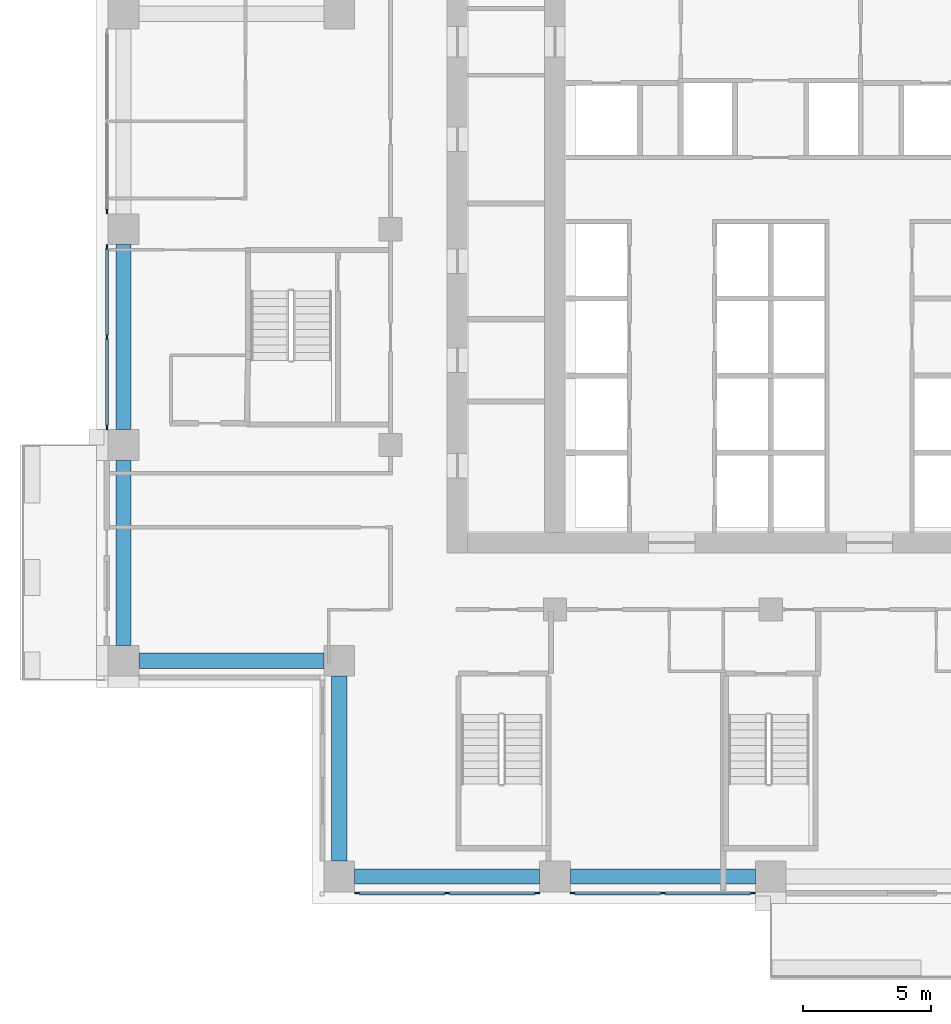
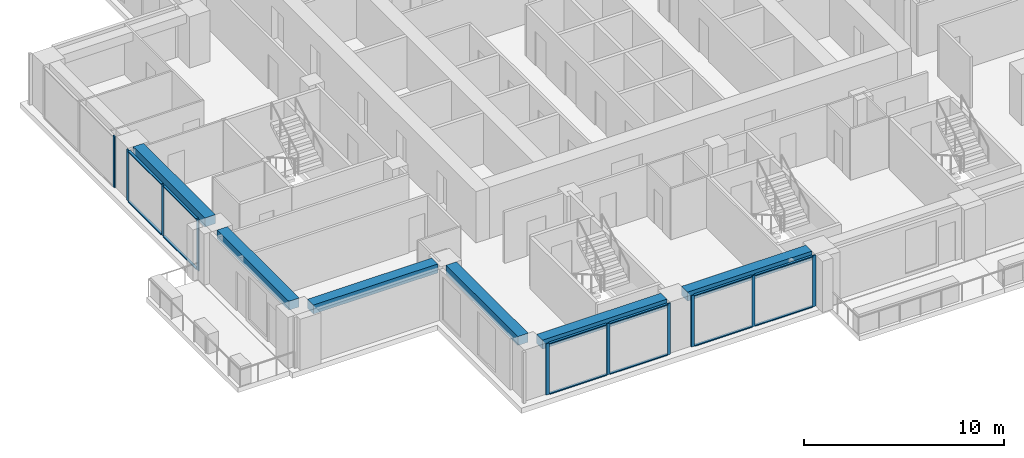
# One storey, part 2 of 18: 22 members, 6 beams, 4 elements without a shape of their own.
"""IFC4 building model written with IfcOpenShell, lengths in metres."""

from ifc_helpers import new_model, si_unit, direction, frame, origin, origin_2d, place, context, subcontext, project, spatial, rectangle, extrude, material, material_profile, profile_set, type_object, element, aggregate, save


model = new_model("IFC4")

# Units and contexts
model_context = context("Model", 3, precision=1e-05, world=origin(), true_north=direction((0.0, 1.0)))
body_context = subcontext(model_context, "Body", "Model", "MODEL_VIEW")
ifc_project = project(units=[si_unit("LENGTHUNIT", "METRE"), si_unit("AREAUNIT", "SQUARE_METRE"), si_unit("VOLUMEUNIT", "CUBIC_METRE"), si_unit("PLANEANGLEUNIT", "RADIAN"), si_unit("MASSUNIT", "GRAM", prefix="KILO")], contexts=[model_context])

# Site, building, storey
site_placement = place(None, origin())
site = spatial("IfcSite", under=ifc_project, at=site_placement, CompositionType="ELEMENT")
building_placement = place(site_placement, origin())
building = spatial("IfcBuilding", under=site, at=building_placement, Name="Vermilion Ogive Tower", CompositionType="ELEMENT")
storey_placement = place(building_placement, frame((0.0, 0.0, 94.199951171875)))
storey = spatial("IfcBuildingStorey", under=building, at=storey_placement, Name="L23", CompositionType="ELEMENT", Elevation=94.199951171875)

# Curtain wall, members
ifc_material_1 = material(Name="Low-iron laminated glazing in aluminium frame", Category="aluminium")
curtain_wall_type = type_object("IfcCurtainWallType", Name="Curtain wall CW7", PredefinedType="NOTDEFINED", material=ifc_material_1)
curtain_wall_1_placement = place(storey_placement, origin())
curtain_wall_1 = element("IfcCurtainWall", 1, at=curtain_wall_1_placement, inside=storey, type_object=curtain_wall_type, Name="Glazed skin S1", PredefinedType="NOTDEFINED")
ifc_material_2 = material(Name="Aluminium mullion", Category="aluminium")
ifc_material_profile_1 = material_profile(ifc_material_2, rectangle(XDim=0.06005859375, YDim=0.179931640625, at=origin_2d()), Name="AL 60x180")
ifc_profile_set_1 = profile_set([ifc_material_profile_1], Name="Aluminium mullion")
member_type_1 = type_object("IfcMemberType", Name="CW7 mullion 60x180", PredefinedType="MULLION", material=ifc_profile_set_1)
member_1_placement = place(storey_placement, frame((-16.110107421875, -21.64990234375, 0.0), z_axis=(0.0, 0.0, 1.0), x_axis=(0.0, 1.0, 0.0)))
member_1 = element("IfcMember", 2, at=member_1_placement, type_object=member_type_1, Name="CW7-S1 mullion 1", PredefinedType="MULLION", context=body_context, shape_type="SweptSolid", body=[
    extrude(rectangle(XDim=0.06005859375, YDim=0.179931640625, at=origin_2d()), origin(), (0.0, 0.0, 1.0), 3.130126953125),
])
member_2_placement = place(storey_placement, frame((-12.60009765625, -21.64990234375, 0.0), z_axis=(0.0, 0.0, 1.0), x_axis=(0.0, 1.0, 0.0)))
member_2 = element("IfcMember", 3, at=member_2_placement, type_object=member_type_1, Name="CW7-S1 mullion 2", PredefinedType="MULLION", context=body_context, shape_type="SweptSolid", body=[
    extrude(rectangle(XDim=0.06005859375, YDim=0.179931640625, at=origin_2d()), origin(), (0.0, 0.0, 1.0), 3.130126953125),
])
member_3_placement = place(storey_placement, frame((-9.090087890625, -21.64990234375, 0.0), z_axis=(0.0, 0.0, 1.0), x_axis=(0.0, 1.0, 0.0)))
member_3 = element("IfcMember", 4, at=member_3_placement, type_object=member_type_1, Name="CW7-S1 mullion 3", PredefinedType="MULLION", context=body_context, shape_type="SweptSolid", body=[
    extrude(rectangle(XDim=0.06005859375, YDim=0.179931640625, at=origin_2d()), origin(), (0.0, 0.0, 1.0), 3.130126953125),
])

curtain_wall_2_placement = place(storey_placement, origin())
curtain_wall_2 = element("IfcCurtainWall", 5, at=curtain_wall_2_placement, inside=storey, type_object=curtain_wall_type, Name="Glazed skin S2", PredefinedType="NOTDEFINED")
member_4_placement = place(storey_placement, frame((-7.7099609375, -21.64990234375, 0.0), z_axis=(0.0, 0.0, 1.0), x_axis=(0.0, 1.0, 0.0)))
member_4 = element("IfcMember", 6, at=member_4_placement, type_object=member_type_1, Name="CW7-S2 mullion 1", PredefinedType="MULLION", context=body_context, shape_type="SweptSolid", body=[
    extrude(rectangle(XDim=0.06005859375, YDim=0.179931640625, at=origin_2d()), origin(), (0.0, 0.0, 1.0), 3.130126953125),
])
member_5_placement = place(storey_placement, frame((-4.199951171875, -21.64990234375, 0.0), z_axis=(0.0, 0.0, 1.0), x_axis=(0.0, 1.0, 0.0)))
member_5 = element("IfcMember", 7, at=member_5_placement, type_object=member_type_1, Name="CW7-S2 mullion 2", PredefinedType="MULLION", context=body_context, shape_type="SweptSolid", body=[
    extrude(rectangle(XDim=0.06005859375, YDim=0.179931640625, at=origin_2d()), origin(), (0.0, 0.0, 1.0), 3.130126953125),
])
member_6_placement = place(storey_placement, frame((-0.68994140625, -21.64990234375, 0.0), z_axis=(0.0, 0.0, 1.0), x_axis=(0.0, 1.0, 0.0)))
member_6 = element("IfcMember", 8, at=member_6_placement, type_object=member_type_1, Name="CW7-S2 mullion 3", PredefinedType="MULLION", context=body_context, shape_type="SweptSolid", body=[
    extrude(rectangle(XDim=0.06005859375, YDim=0.179931640625, at=origin_2d()), origin(), (0.0, 0.0, 1.0), 3.130126953125),
])

# Curtain wall, member
curtain_wall_3_placement = place(storey_placement, origin())
curtain_wall_3 = element("IfcCurtainWall", 9, at=curtain_wall_3_placement, inside=storey, type_object=curtain_wall_type, Name="Glazed skin W1", PredefinedType="NOTDEFINED")
member_7_placement = place(storey_placement, frame((-25.85009765625, 4.889892578125, 0.0), z_axis=(0.0, 0.0, 1.0), x_axis=(1.0, 0.0, 0.0)))
member_7 = element("IfcMember", 10, at=member_7_placement, type_object=member_type_1, Name="CW7-W1 mullion 3", PredefinedType="MULLION", context=body_context, shape_type="SweptSolid", body=[
    extrude(rectangle(XDim=0.06005859375, YDim=0.179931640625, at=origin_2d()), origin(), (0.0, 0.0, 1.0), 3.130126953125),
])
aggregate(curtain_wall_3, [member_7])

# Curtain wall, members
curtain_wall_4_placement = place(storey_placement, origin())
curtain_wall_4 = element("IfcCurtainWall", 11, at=curtain_wall_4_placement, inside=storey, type_object=curtain_wall_type, Name="Glazed skin W2", PredefinedType="NOTDEFINED")
member_8_placement = place(storey_placement, frame((-25.85009765625, 3.510009765625, 0.0), z_axis=(0.0, 0.0, 1.0), x_axis=(1.0, 0.0, 0.0)))
member_8 = element("IfcMember", 12, at=member_8_placement, type_object=member_type_1, Name="CW7-W2 mullion 1", PredefinedType="MULLION", context=body_context, shape_type="SweptSolid", body=[
    extrude(rectangle(XDim=0.06005859375, YDim=0.179931640625, at=origin_2d()), origin(), (0.0, 0.0, 1.0), 3.130126953125),
])
member_9_placement = place(storey_placement, frame((-25.85009765625, 0.0, 0.0), z_axis=(0.0, 0.0, 1.0), x_axis=(1.0, 0.0, 0.0)))
member_9 = element("IfcMember", 13, at=member_9_placement, type_object=member_type_1, Name="CW7-W2 mullion 2", PredefinedType="MULLION", context=body_context, shape_type="SweptSolid", body=[
    extrude(rectangle(XDim=0.06005859375, YDim=0.179931640625, at=origin_2d()), origin(), (0.0, 0.0, 1.0), 3.130126953125),
])
member_10_placement = place(storey_placement, frame((-25.85009765625, -3.510009765625, 0.0), z_axis=(0.0, 0.0, 1.0), x_axis=(1.0, 0.0, 0.0)))
member_10 = element("IfcMember", 14, at=member_10_placement, type_object=member_type_1, Name="CW7-W2 mullion 3", PredefinedType="MULLION", context=body_context, shape_type="SweptSolid", body=[
    extrude(rectangle(XDim=0.06005859375, YDim=0.179931640625, at=origin_2d()), origin(), (0.0, 0.0, 1.0), 3.130126953125),
])

# Member
ifc_material_3 = material(Name="Aluminium transom", Category="aluminium")
ifc_material_profile_2 = material_profile(ifc_material_3, rectangle(XDim=0.139892578125, YDim=0.06005859375, at=origin_2d()), Name="AL 60x140")
ifc_profile_set_2 = profile_set([ifc_material_profile_2], Name="Aluminium transom")
member_type_2 = type_object("IfcMemberType", Name="CW7 transom 60x140", PredefinedType="USERDEFINED", material=ifc_profile_set_2)
member_11_placement = place(storey_placement, frame((-16.02001953125, -21.64990234375, 0.030029296875), z_axis=(1.0, 0.0, 0.0), x_axis=(0.0, 1.0, 0.0)))
member_11 = element("IfcMember", 15, at=member_11_placement, type_object=member_type_2, Name="CW7-S1 transom 1.1", ObjectType="TRANSOM", PredefinedType="USERDEFINED", context=body_context, shape_type="SweptSolid", body=[
    extrude(rectangle(XDim=0.139892578125, YDim=0.06005859375, at=origin_2d()), origin(), (0.0, 0.0, 1.0), 3.330078125),
])

member_12_placement = place(storey_placement, frame((-16.02001953125, -21.64990234375, 3.10009765625), z_axis=(1.0, 0.0, 0.0), x_axis=(0.0, 1.0, 0.0)))
member_12 = element("IfcMember", 16, at=member_12_placement, type_object=member_type_2, Name="CW7-S1 transom 1.2", ObjectType="TRANSOM", PredefinedType="USERDEFINED", context=body_context, shape_type="SweptSolid", body=[
    extrude(rectangle(XDim=0.139892578125, YDim=0.06005859375, at=origin_2d()), origin(), (0.0, 0.0, 1.0), 3.330078125),
])

member_13_placement = place(storey_placement, frame((-12.510009765625, -21.64990234375, 0.030029296875), z_axis=(1.0, 0.0, 0.0), x_axis=(0.0, 1.0, 0.0)))
member_13 = element("IfcMember", 17, at=member_13_placement, type_object=member_type_2, Name="CW7-S1 transom 2.1", ObjectType="TRANSOM", PredefinedType="USERDEFINED", context=body_context, shape_type="SweptSolid", body=[
    extrude(rectangle(XDim=0.139892578125, YDim=0.06005859375, at=origin_2d()), origin(), (0.0, 0.0, 1.0), 3.330078125),
])

member_14_placement = place(storey_placement, frame((-12.510009765625, -21.64990234375, 3.10009765625), z_axis=(1.0, 0.0, 0.0), x_axis=(0.0, 1.0, 0.0)))
member_14 = element("IfcMember", 18, at=member_14_placement, type_object=member_type_2, Name="CW7-S1 transom 2.2", ObjectType="TRANSOM", PredefinedType="USERDEFINED", context=body_context, shape_type="SweptSolid", body=[
    extrude(rectangle(XDim=0.139892578125, YDim=0.06005859375, at=origin_2d()), origin(), (0.0, 0.0, 1.0), 3.330078125),
])

aggregate(curtain_wall_1, [member_1, member_2, member_3, member_11, member_12, member_13, member_14])

member_15_placement = place(storey_placement, frame((-7.6201171875, -21.64990234375, 0.030029296875), z_axis=(1.0, 0.0, 0.0), x_axis=(0.0, 1.0, 0.0)))
member_15 = element("IfcMember", 19, at=member_15_placement, type_object=member_type_2, Name="CW7-S2 transom 1.1", ObjectType="TRANSOM", PredefinedType="USERDEFINED", context=body_context, shape_type="SweptSolid", body=[
    extrude(rectangle(XDim=0.139892578125, YDim=0.06005859375, at=origin_2d()), origin(), (0.0, 0.0, 1.0), 3.330078125),
])

member_16_placement = place(storey_placement, frame((-7.6201171875, -21.64990234375, 3.10009765625), z_axis=(1.0, 0.0, 0.0), x_axis=(0.0, 1.0, 0.0)))
member_16 = element("IfcMember", 20, at=member_16_placement, type_object=member_type_2, Name="CW7-S2 transom 1.2", ObjectType="TRANSOM", PredefinedType="USERDEFINED", context=body_context, shape_type="SweptSolid", body=[
    extrude(rectangle(XDim=0.139892578125, YDim=0.06005859375, at=origin_2d()), origin(), (0.0, 0.0, 1.0), 3.330078125),
])

member_17_placement = place(storey_placement, frame((-4.110107421875, -21.64990234375, 0.030029296875), z_axis=(1.0, 0.0, 0.0), x_axis=(0.0, 1.0, 0.0)))
member_17 = element("IfcMember", 21, at=member_17_placement, type_object=member_type_2, Name="CW7-S2 transom 2.1", ObjectType="TRANSOM", PredefinedType="USERDEFINED", context=body_context, shape_type="SweptSolid", body=[
    extrude(rectangle(XDim=0.139892578125, YDim=0.06005859375, at=origin_2d()), origin(), (0.0, 0.0, 1.0), 3.330078125),
])

member_18_placement = place(storey_placement, frame((-4.110107421875, -21.64990234375, 3.10009765625), z_axis=(1.0, 0.0, 0.0), x_axis=(0.0, 1.0, 0.0)))
member_18 = element("IfcMember", 22, at=member_18_placement, type_object=member_type_2, Name="CW7-S2 transom 2.2", ObjectType="TRANSOM", PredefinedType="USERDEFINED", context=body_context, shape_type="SweptSolid", body=[
    extrude(rectangle(XDim=0.139892578125, YDim=0.06005859375, at=origin_2d()), origin(), (0.0, 0.0, 1.0), 3.330078125),
])

aggregate(curtain_wall_2, [member_4, member_5, member_6, member_15, member_16, member_17, member_18])

member_19_placement = place(storey_placement, frame((-25.85009765625, 3.419921875, 0.030029296875), z_axis=(0.0, -1.0, 0.0), x_axis=(1.0, 0.0, 0.0)))
member_19 = element("IfcMember", 23, at=member_19_placement, type_object=member_type_2, Name="CW7-W2 transom 1.1", ObjectType="TRANSOM", PredefinedType="USERDEFINED", context=body_context, shape_type="SweptSolid", body=[
    extrude(rectangle(XDim=0.139892578125, YDim=0.06005859375, at=origin_2d()), origin(), (0.0, 0.0, 1.0), 3.329833984375),
])

member_20_placement = place(storey_placement, frame((-25.85009765625, 3.419921875, 3.10009765625), z_axis=(0.0, -1.0, 0.0), x_axis=(1.0, 0.0, 0.0)))
member_20 = element("IfcMember", 24, at=member_20_placement, type_object=member_type_2, Name="CW7-W2 transom 1.2", ObjectType="TRANSOM", PredefinedType="USERDEFINED", context=body_context, shape_type="SweptSolid", body=[
    extrude(rectangle(XDim=0.139892578125, YDim=0.06005859375, at=origin_2d()), origin(), (0.0, 0.0, 1.0), 3.329833984375),
])

member_21_placement = place(storey_placement, frame((-25.85009765625, -0.090087890625, 0.030029296875), z_axis=(0.0, -1.0, 0.0), x_axis=(1.0, 0.0, 0.0)))
member_21 = element("IfcMember", 25, at=member_21_placement, type_object=member_type_2, Name="CW7-W2 transom 2.1", ObjectType="TRANSOM", PredefinedType="USERDEFINED", context=body_context, shape_type="SweptSolid", body=[
    extrude(rectangle(XDim=0.139892578125, YDim=0.06005859375, at=origin_2d()), origin(), (0.0, 0.0, 1.0), 3.329833984375),
])

member_22_placement = place(storey_placement, frame((-25.85009765625, -0.090087890625, 3.10009765625), z_axis=(0.0, -1.0, 0.0), x_axis=(1.0, 0.0, 0.0)))
member_22 = element("IfcMember", 26, at=member_22_placement, type_object=member_type_2, Name="CW7-W2 transom 2.2", ObjectType="TRANSOM", PredefinedType="USERDEFINED", context=body_context, shape_type="SweptSolid", body=[
    extrude(rectangle(XDim=0.139892578125, YDim=0.06005859375, at=origin_2d()), origin(), (0.0, 0.0, 1.0), 3.329833984375),
])

aggregate(curtain_wall_4, [member_8, member_9, member_10, member_19, member_20, member_21, member_22])

# Beams
ifc_material_4 = material(Name="Concrete B45", Category="concrete")
ifc_material_profile_3 = material_profile(ifc_material_4, rectangle(XDim=0.60009765625, YDim=0.550048828125, at=origin_2d()), Name="600 x 550")
ifc_profile_set_3 = profile_set([ifc_material_profile_3], Name="Concrete B45")
beam_type = type_object("IfcBeamType", Name="Edge beam 600 x 550 B45", PredefinedType="BEAM", material=ifc_profile_set_3)
for number, where, z_axis, x_axis, name in (
    (27, (-16.199951171875, -21.0, 2.85498046875), (1.0, 0.0, 0.0), (0.0, 1.0, 0.0), "L23-EB-1"),
    (28, (-7.800048828125, -21.0, 2.85498046875), (1.0, 0.0, 0.0), (0.0, 1.0, 0.0), "L23-EB-2"),
):
    element("IfcBeam", number, at=place(storey_placement, frame(where, z_axis=z_axis, x_axis=x_axis)), inside=storey, type_object=beam_type, Name=name, PredefinedType="BEAM", context=body_context, shape_type="SweptSolid", body=[
        extrude(rectangle(XDim=0.60009765625, YDim=0.550048828125, at=origin_2d()), origin(), (0.0, 0.0, 1.0), 7.199951171875),
    ])
beam_1_placement = place(storey_placement, frame((-25.199951171875, 3.60009765625, 2.85498046875), z_axis=(0.0, -1.0, 0.0), x_axis=(1.0, 0.0, 0.0)))
element("IfcBeam", 29, at=beam_1_placement, inside=storey, type_object=beam_type, Name="L23-EB-15", PredefinedType="BEAM", context=body_context, shape_type="SweptSolid", body=[
    extrude(rectangle(XDim=0.60009765625, YDim=0.550048828125, at=origin_2d()), origin(), (0.0, 0.0, 1.0), 7.2001953125),
])
beam_2_placement = place(storey_placement, frame((-25.199951171875, -4.800048828125, 2.85498046875), z_axis=(0.0, -1.0, 0.0), x_axis=(1.0, 0.0, 0.0)))
element("IfcBeam", 30, at=beam_2_placement, inside=storey, type_object=beam_type, Name="L23-EB-16", PredefinedType="BEAM", context=body_context, shape_type="SweptSolid", body=[
    extrude(rectangle(XDim=0.60009765625, YDim=0.550048828125, at=origin_2d()), origin(), (0.0, 0.0, 1.0), 7.199951171875),
])
beam_3_placement = place(storey_placement, frame((-24.60009765625, -12.60009765625, 2.85498046875), z_axis=(1.0, 0.0, 0.0), x_axis=(0.0, 1.0, 0.0)))
element("IfcBeam", 31, at=beam_3_placement, inside=storey, type_object=beam_type, Name="L23-EB-17", PredefinedType="BEAM", context=body_context, shape_type="SweptSolid", body=[
    extrude(rectangle(XDim=0.60009765625, YDim=0.550048828125, at=origin_2d()), origin(), (0.0, 0.0, 1.0), 7.2001953125),
])
beam_4_placement = place(storey_placement, frame((-16.800048828125, -13.199951171875, 2.85498046875), z_axis=(0.0, -1.0, 0.0), x_axis=(1.0, 0.0, 0.0)))
element("IfcBeam", 32, at=beam_4_placement, inside=storey, type_object=beam_type, Name="L23-EB-18", PredefinedType="BEAM", context=body_context, shape_type="SweptSolid", body=[
    extrude(rectangle(XDim=0.60009765625, YDim=0.550048828125, at=origin_2d()), origin(), (0.0, 0.0, 1.0), 7.199951171875),
])

save(model, "model.ifc")
